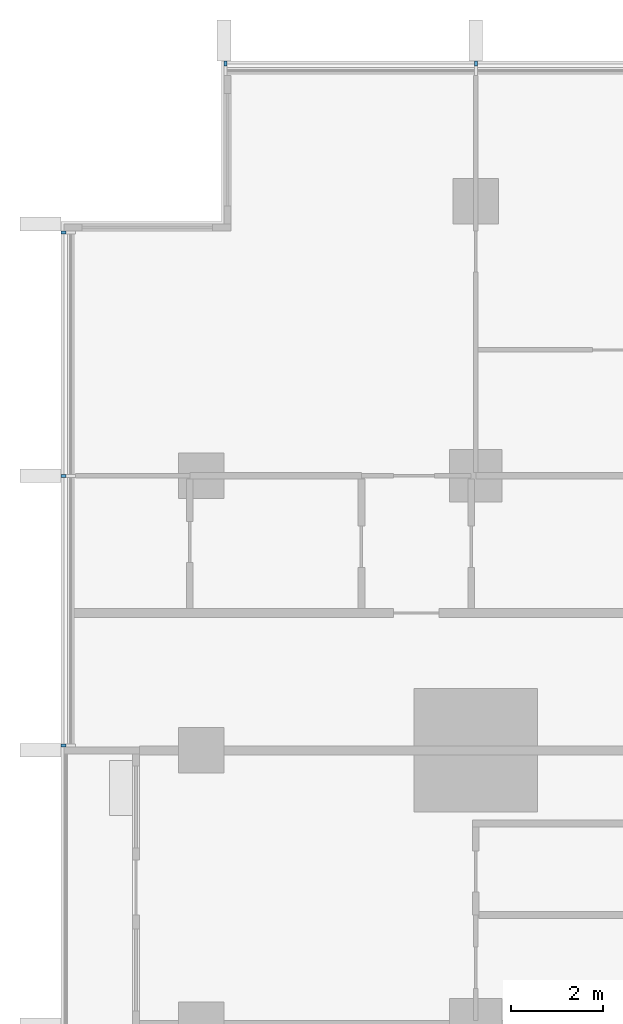
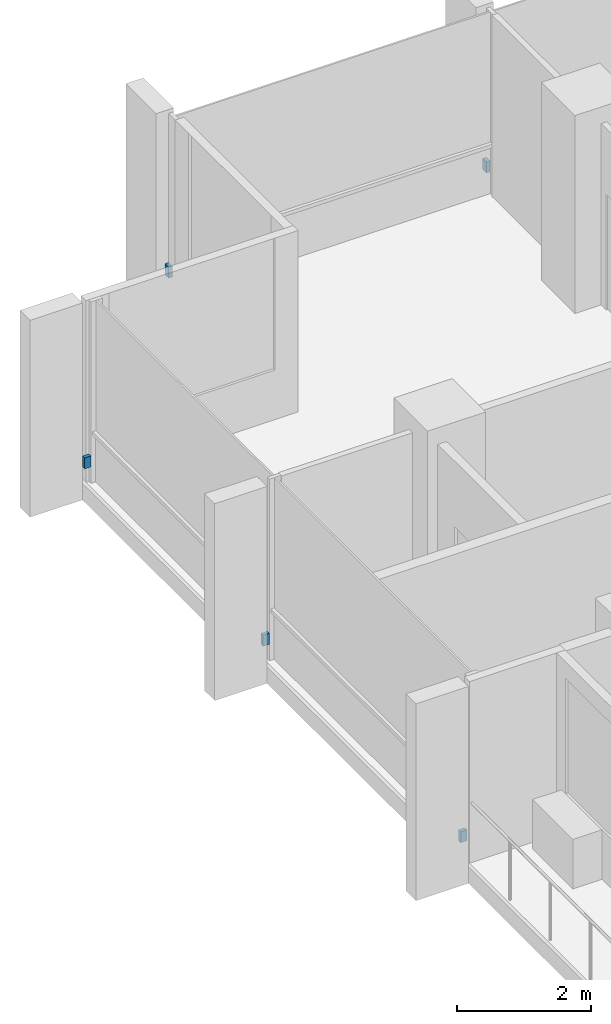
# One storey, part 15 of 17: 5 discrete accessories.
"""IFC4 building model written with IfcOpenShell, lengths in metres."""

from ifc_helpers import new_model, si_unit, direction, frame, origin, origin_2d, place, context, subcontext, project, spatial, rectangle, extrude, material, type_object, element, save


model = new_model("IFC4")

# Units and contexts
model_context = context("Model", 3, precision=1e-05, world=origin(), true_north=direction((0.0, 1.0)))
body_context = subcontext(model_context, "Body", "Model", "MODEL_VIEW")
ifc_project = project(units=[si_unit("LENGTHUNIT", "METRE"), si_unit("AREAUNIT", "SQUARE_METRE"), si_unit("VOLUMEUNIT", "CUBIC_METRE"), si_unit("PLANEANGLEUNIT", "RADIAN"), si_unit("MASSUNIT", "GRAM", prefix="KILO")], contexts=[model_context])

# Site, building, storey
site_placement = place(None, origin())
site = spatial("IfcSite", under=ifc_project, at=site_placement, CompositionType="ELEMENT")
building_placement = place(site_placement, origin())
building = spatial("IfcBuilding", under=site, at=building_placement, Name="Finial Court Residences", CompositionType="ELEMENT")
storey_placement = place(building_placement, frame((0.0, 0.0, 102.699951171875)))
storey = spatial("IfcBuildingStorey", under=building, at=storey_placement, Name="L25", CompositionType="ELEMENT", Elevation=102.699951171875)

# Discrete accessories
ifc_material = material(Name="Stainless steel 316", Category="steel")
discrete_accessory_type = type_object("IfcDiscreteAccessoryType", Name="Fin bracket, stainless steel 65 x 110 x 200", PredefinedType="BRACKET", material=ifc_material)
for number, where, z_axis, x_axis, name in (
    (1, (-21.967529296875, 22.5048828125, 0.30029296875), (0.0, 0.0, 1.0), (1.0, 0.0, 0.0), "E-L25-FIN-N1-BRK"),
    (2, (-16.5, 22.5048828125, 0.30029296875), (0.0, 0.0, 1.0), (1.0, 0.0, 0.0), "E-L25-FIN-N2-BRK"),
):
    element("IfcDiscreteAccessory", number, at=place(storey_placement, frame(where, z_axis=z_axis, x_axis=x_axis)), inside=storey, type_object=discrete_accessory_type, Name=name, PredefinedType="BRACKET", context=body_context, shape_type="SweptSolid", body=[
        extrude(rectangle(XDim=0.06494140625, YDim=0.110107421875, at=origin_2d()), origin(), (0.0, 0.0, 1.0), 0.199951171875),
    ])
for number, where, z_axis, x_axis, name in (
    (3, (-25.5048828125, 7.607421875, 0.30029296875), (0.0, 0.0, 1.0), (1.0, 0.0, 0.0), "E-L25-FIN-W30-BRK"),
    (4, (-25.5048828125, 13.5, 0.30029296875), (0.0, 0.0, 1.0), (1.0, 0.0, 0.0), "E-L25-FIN-W31-BRK"),
    (5, (-25.5048828125, 18.8173828125, 0.30029296875), (0.0, 0.0, 1.0), (1.0, 0.0, 0.0), "E-L25-FIN-W32-BRK"),
):
    element("IfcDiscreteAccessory", number, at=place(storey_placement, frame(where, z_axis=z_axis, x_axis=x_axis)), inside=storey, type_object=discrete_accessory_type, Name=name, PredefinedType="BRACKET", context=body_context, shape_type="SweptSolid", body=[
        extrude(rectangle(XDim=0.110107421875, YDim=0.06494140625, at=origin_2d()), origin(), (0.0, 0.0, 1.0), 0.199951171875),
    ])

save(model, "model.ifc")
